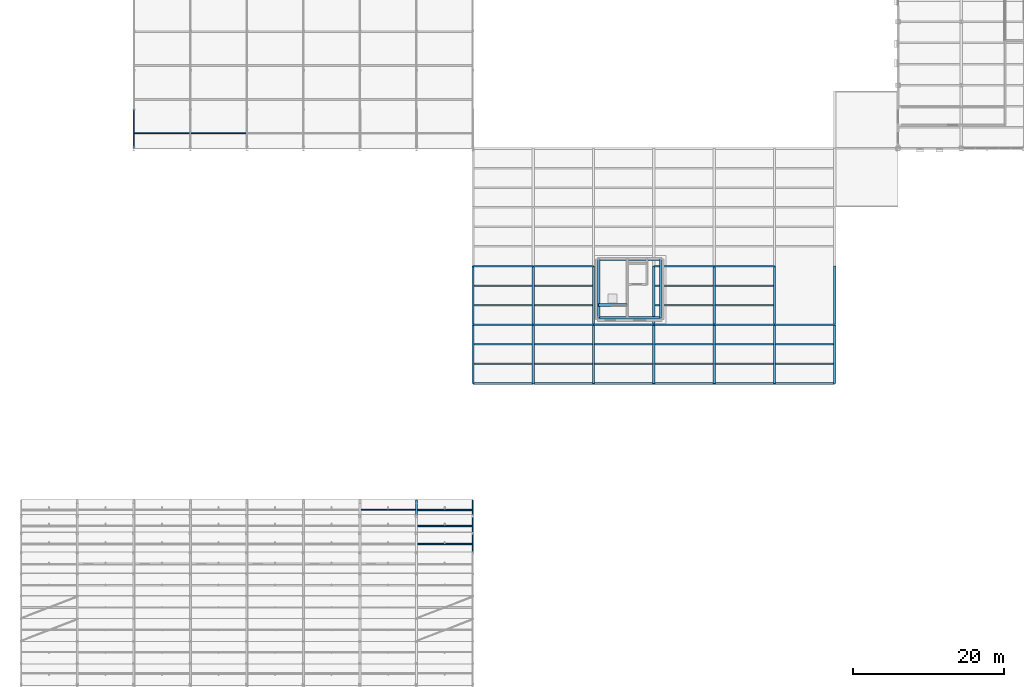
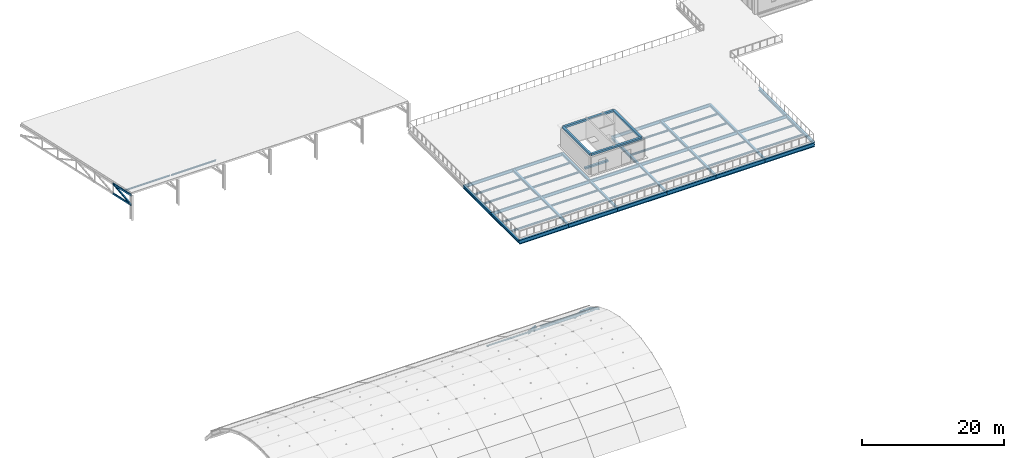
# One storey, part 29 of 77: 59 beams, 9 members.
"""IFC4 building model written with IfcOpenShell, lengths in metres."""

import ifcopenshell
import ifcopenshell.guid

model = None  # the IFC model being written
_history = None  # IfcOwnerHistory: only IFC2X3 demands one
_inside = {}  # id of a spatial element -> (the spatial element, [elements in it])
_under = {}  # id of a project, library or spatial element -> (it, [spatial elements below it])
_declared = {}  # id of a project -> (the project, [libraries it declares])
_typed = {}  # id of a type object -> (the type object, [elements of that type])
_made_of = {}  # id of a material, layer set ... -> (it, [elements and type objects made of it])


def new_model(schema):
    """Start an empty IFC model of exactly this schema.

    Asked for "IFC4X3", IfcOpenShell would pick the latest addendum, in which some entities
    have other attributes; the version numbers below select the first issue.
    IFC2X3 requires an IfcOwnerHistory on every rooted entity: one is made here for all.
    """
    global model, _history
    if schema == "IFC4X3":
        model = ifcopenshell.file(schema_version=(4, 3, 0, 0))
    else:
        model = ifcopenshell.file(schema=schema)
    _inside.clear()
    _under.clear()
    _declared.clear()
    _typed.clear()
    _made_of.clear()
    _history = None
    if model.schema == "IFC2X3":
        org = make("IfcOrganization", Name="unknown")
        user = make(
            "IfcPersonAndOrganization",
            ThePerson=make("IfcPerson", FamilyName="unknown"),
            TheOrganization=org,
        )
        app = make(
            "IfcApplication",
            ApplicationDeveloper=org,
            Version="unknown",
            ApplicationFullName="unknown",
            ApplicationIdentifier="unknown",
        )
        _history = make(
            "IfcOwnerHistory",
            OwningUser=user,
            OwningApplication=app,
            ChangeAction="ADDED",
            CreationDate=0,
        )
    return model


def make(cls, **values):
    """One entity of the class cls with the attributes given. An attribute that is None is left unset."""
    return model.create_entity(
        cls, **{name: value for name, value in values.items() if value is not None}
    )


def rooted(cls, **values):
    """An entity with a GlobalId (a new one), such as an element, a storey or a relation."""
    return make(cls, GlobalId=ifcopenshell.guid.new(), OwnerHistory=_history, **values)


def si_unit(unit_type, name, prefix=None):
    """IfcSIUnit, for example si_unit("LENGTHUNIT", "METRE", prefix="MILLI")."""
    return make("IfcSIUnit", UnitType=unit_type, Prefix=prefix, Name=name)


def assignment(units):
    """IfcUnitAssignment: the units of a project."""
    return None if units is None else make("IfcUnitAssignment", Units=units)


def point(xyz):
    """IfcCartesianPoint."""
    return None if xyz is None else make("IfcCartesianPoint", Coordinates=xyz)


def direction(xyz):
    """IfcDirection."""
    return None if xyz is None else make("IfcDirection", DirectionRatios=xyz)


def frame(location, z_axis=None, x_axis=None):
    """IfcAxis2Placement3D, a coordinate frame: its origin and axes. An axis left out is left unset."""
    return make(
        "IfcAxis2Placement3D",
        Location=point(location),
        Axis=direction(z_axis),
        RefDirection=direction(x_axis),
    )


def frame_2d(location, x_axis=None):
    """IfcAxis2Placement2D, a coordinate frame in the plane: its origin and x axis."""
    return make(
        "IfcAxis2Placement2D", Location=point(location), RefDirection=direction(x_axis)
    )


def origin():
    """The frame at (0, 0, 0) with its axes left unset."""
    return frame((0.0, 0.0, 0.0))


def origin_2d():
    """The frame at (0, 0) in the plane with its x axis left unset."""
    return frame_2d((0.0, 0.0))


def place(relative_to, where):
    """IfcLocalPlacement: puts the frame where relative to a parent placement (None: the world)."""
    return make(
        "IfcLocalPlacement", PlacementRelTo=relative_to, RelativePlacement=where
    )


def context(
    kind, dimensions, precision=None, world=None, true_north=None, identifier=None
):
    """IfcGeometricRepresentationContext, for example the 3D "Model" context."""
    return make(
        "IfcGeometricRepresentationContext",
        ContextIdentifier=identifier,
        ContextType=kind,
        CoordinateSpaceDimension=dimensions,
        Precision=precision,
        WorldCoordinateSystem=world,
        TrueNorth=true_north,
    )


def subcontext(parent, identifier, kind, view, scale=None):
    """IfcGeometricRepresentationSubContext, for example "Body" below "Model"."""
    return make(
        "IfcGeometricRepresentationSubContext",
        ContextIdentifier=identifier,
        ContextType=kind,
        ParentContext=parent,
        TargetScale=scale,
        TargetView=view,
    )


def project(units=None, contexts=None):
    """IfcProject with its units and contexts."""
    return rooted(
        "IfcProject",
        Name="project",
        RepresentationContexts=contexts,
        UnitsInContext=assignment(units),
    )


def spatial(cls, under=None, at=None, **own):
    """A site, building, storey or space (cls), placed at a placement, below another one or the project."""
    s = rooted(cls, ObjectPlacement=at, **own)
    if under is not None:
        _under.setdefault(under.id(), (under, []))[1].append(s)
    return s


def profile(cls, at=None, kind="AREA", **sizes):
    """A parametric profile (cls). Its sizes go by their IFC names, for example OverallWidth=200.0."""
    return make(cls, ProfileType=kind, Position=at, **sizes)


def rectangle(**sizes):
    """IfcRectangleProfileDef."""
    return profile("IfcRectangleProfileDef", **sizes)


def hollow_rectangle(**sizes):
    """IfcRectangleHollowProfileDef."""
    return profile("IfcRectangleHollowProfileDef", **sizes)


def i_section(**sizes):
    """IfcIShapeProfileDef."""
    return profile("IfcIShapeProfileDef", **sizes)


def extrude(swept, where, along, depth):
    """IfcExtrudedAreaSolid: the profile swept, set in the frame where, extruded along a direction by depth."""
    return make(
        "IfcExtrudedAreaSolid",
        SweptArea=swept,
        Position=where,
        ExtrudedDirection=direction(along),
        Depth=depth,
    )


def shape(context_of_items, identifier, shape_type, items):
    """IfcShapeRepresentation: the items that make up one representation, for example the "Body"."""
    return make(
        "IfcShapeRepresentation",
        ContextOfItems=context_of_items,
        RepresentationIdentifier=identifier,
        RepresentationType=shape_type,
        Items=items,
    )


def material(Name=None, Category=None):
    """IfcMaterial."""
    return make("IfcMaterial", Name=Name, Category=Category)


def material_profile(
    of_material, cross_section, Name=None, Category=None, Priority=None
):
    """IfcMaterialProfile: a cross section and its material."""
    return make(
        "IfcMaterialProfile",
        Name=Name,
        Material=of_material,
        Profile=cross_section,
        Priority=Priority,
        Category=Category,
    )


def profile_set(profiles, Name=None, composite=None):
    """IfcMaterialProfileSet."""
    return make(
        "IfcMaterialProfileSet",
        Name=Name,
        MaterialProfiles=profiles,
        CompositeProfile=composite,
    )


def made_of(thing, what):
    """Note that an element or type object is made of a material, layer set ...; save() writes the relation."""
    if what is not None:
        _made_of.setdefault(what.id(), (what, []))[1].append(thing)
    return thing


def type_object(cls, material=None, **own):
    """A type object (cls), such as IfcWallType, which elements share."""
    return made_of(rooted(cls, **own), material)


def element(
    cls,
    number,
    at=None,
    inside=None,
    cuts=None,
    type_object=None,
    material=None,
    context=None,
    identifier="Body",
    shape_type=None,
    held_by="IfcProductDefinitionShape",
    body=None,
    shapes=None,
    **own,
):
    """One element of the class cls, such as IfcWall. Its Tag is "e" and its number.

    at: its placement. inside: the storey or other place that contains it. cuts: it is an
    opening in that element (IfcRelVoidsElement). A single representation is given by context,
    identifier, shape_type and body (its items); several are given by shapes. held_by: the class
    of the entity that holds the representations. save() writes the other relations.
    """
    e = rooted(cls, Tag="e%d" % number, ObjectPlacement=at, **own)
    if body is not None:
        shapes = [shape(context, identifier, shape_type, body)]
    if shapes is not None:
        e.Representation = make(held_by, Representations=shapes)
    if inside is not None:
        _inside.setdefault(inside.id(), (inside, []))[1].append(e)
    if cuts is not None:
        rooted(
            "IfcRelVoidsElement", RelatingBuildingElement=cuts, RelatedOpeningElement=e
        )
    if type_object is not None:
        _typed.setdefault(type_object.id(), (type_object, []))[1].append(e)
    return made_of(e, material)


def aggregate(whole, parts):
    """IfcRelAggregates: a whole, such as a stair, and the parts it consists of."""
    return rooted("IfcRelAggregates", RelatingObject=whole, RelatedObjects=parts)


def save(model, path):
    """Write the relations noted so far, then the file.

    IfcRelAggregates (storeys below a building ...), IfcRelContainedInSpatialStructure (elements
    in a storey), IfcRelDefinesByType, IfcRelAssociatesMaterial and IfcRelDeclares: one each for
    every whole, place, type object, material and project.
    """
    for whole, parts in _under.values():
        aggregate(whole, parts)
    for where, things in _inside.values():
        rooted(
            "IfcRelContainedInSpatialStructure",
            RelatedElements=things,
            RelatingStructure=where,
        )
    for kind, things in _typed.values():
        rooted("IfcRelDefinesByType", RelatedObjects=things, RelatingType=kind)
    for what, things in _made_of.values():
        rooted("IfcRelAssociatesMaterial", RelatedObjects=things, RelatingMaterial=what)
    for by, libraries in _declared.values():
        rooted("IfcRelDeclares", RelatingContext=by, RelatedDefinitions=libraries)
    model.write(path)


model = new_model("IFC4")

# Units and contexts
model_context = context("Model", 3, precision=1e-05, world=origin(), true_north=direction((0.0, 1.0)))
body_context = subcontext(model_context, "Body", "Model", "MODEL_VIEW")
ifc_project = project(units=[si_unit("LENGTHUNIT", "METRE"), si_unit("AREAUNIT", "SQUARE_METRE"), si_unit("VOLUMEUNIT", "CUBIC_METRE"), si_unit("PLANEANGLEUNIT", "RADIAN"), si_unit("MASSUNIT", "GRAM", prefix="KILO")], contexts=[model_context])

# Site, building, storey
site_placement = place(None, origin())
site = spatial("IfcSite", under=ifc_project, at=site_placement, CompositionType="ELEMENT")
building_placement = place(site_placement, origin())
building = spatial("IfcBuilding", under=site, at=building_placement, Name="Yukiwa Park Conservatory and Herbarium", CompositionType="ELEMENT")
storey_placement = place(building_placement, frame((0.0, 0.0, 13.199951171875)))
storey = spatial("IfcBuildingStorey", under=building, at=storey_placement, Name="L03", CompositionType="ELEMENT", Elevation=13.199951171875)

# Beams
ifc_material_1 = material(Name="Steel Q355D", Category="steel")
ifc_material_profile_1 = material_profile(ifc_material_1, i_section(OverallWidth=0.300048828125, OverallDepth=0.389892578125, WebThickness=0.010009765625, FlangeThickness=0.01611328125, FilletRadius=0.02001953125, at=origin_2d()), Name="HM 390x300x10x16")
ifc_profile_set_1 = profile_set([ifc_material_profile_1], Name="Steel Q355D")
beam_type_1 = type_object("IfcBeamType", Name="BM-GRD-HM390", PredefinedType="BEAM", material=ifc_profile_set_1)
for number, where, z_axis, x_axis, name in (
    (1, (68.0, 46.805908203125, -0.514892578125), (0.0, 1.0, 0.0), (-1.0, 0.0, 0.0), "L03 grid girder Y-64"),
    (2, (68.0, 54.60595703125, -0.514892578125), (0.0, 1.0, 0.0), (-1.0, 0.0, 0.0), "L03 grid girder Y-65"),
    (3, (76.0, 46.805908203125, -0.514892578125), (0.0, 1.0, 0.0), (-1.0, 0.0, 0.0), "L03 grid girder Y-68"),
    (4, (76.0, 54.60595703125, -0.514892578125), (0.0, 1.0, 0.0), (-1.0, 0.0, 0.0), "L03 grid girder Y-69"),
    (5, (84.0, 46.805908203125, -0.514892578125), (0.0, 1.0, 0.0), (-1.0, 0.0, 0.0), "L03 grid girder Y-72"),
    (6, (84.0, 54.60595703125, -0.514892578125), (0.0, 1.0, 0.0), (-1.0, 0.0, 0.0), "L03 grid girder Y-73"),
    (7, (92.0, 46.805908203125, -0.514892578125), (0.0, 1.0, 0.0), (-1.0, 0.0, 0.0), "L03 grid girder Y-76"),
    (8, (92.0, 54.60595703125, -0.514892578125), (0.0, 1.0, 0.0), (-1.0, 0.0, 0.0), "L03 grid girder Y-77"),
    (9, (100.0, 46.805908203125, -0.514892578125), (0.0, 1.0, 0.0), (-1.0, 0.0, 0.0), "L03 grid girder Y-80"),
    (10, (100.0, 54.60595703125, -0.514892578125), (0.0, 1.0, 0.0), (-1.0, 0.0, 0.0), "L03 grid girder Y-81"),
):
    element("IfcBeam", number, at=place(storey_placement, frame(where, z_axis=z_axis, x_axis=x_axis)), inside=storey, type_object=beam_type_1, Name=name, PredefinedType="BEAM", context=body_context, shape_type="SweptSolid", body=[
        extrude(i_section(OverallWidth=0.300048828125, OverallDepth=0.389892578125, WebThickness=0.010009765625, FlangeThickness=0.01611328125, FilletRadius=0.02001953125, at=origin_2d()), origin(), (0.0, 0.0, 1.0), 7.7880859375),
    ])
ifc_material_2 = material(Name="Steel Q355D", Category="steel")
ifc_material_profile_2 = material_profile(ifc_material_2, i_section(OverallWidth=0.199951171875, OverallDepth=0.550048828125, WebThickness=0.010009765625, FlangeThickness=0.01611328125, FilletRadius=0.02001953125, at=origin_2d()), Name="HN 550x200x10x16")
ifc_profile_set_2 = profile_set([ifc_material_profile_2], Name="Steel Q355D")
beam_type_2 = type_object("IfcBeamType", Name="BM-GRD-HN550", PredefinedType="BEAM", material=ifc_profile_set_2)
for number, where, z_axis, x_axis, name in (
    (11, (60.006103515625, 54.60009765625, -0.594970703125), (1.0, 0.0, 0.0), (0.0, 1.0, 0.0), "L03 grid beam X-7"),
    (12, (68.006103515625, 54.60009765625, -0.594970703125), (1.0, 0.0, 0.0), (0.0, 1.0, 0.0), "L03 grid beam X-8"),
    (13, (76.006103515625, 54.60009765625, -0.594970703125), (1.0, 0.0, 0.0), (0.0, 1.0, 0.0), "L03 grid beam X-9"),
    (14, (84.006103515625, 54.60009765625, -0.594970703125), (1.0, 0.0, 0.0), (0.0, 1.0, 0.0), "L03 grid beam X-10"),
    (15, (92.006103515625, 54.60009765625, -0.594970703125), (1.0, 0.0, 0.0), (0.0, 1.0, 0.0), "L03 grid beam X-11"),
    (16, (100.006103515625, 54.60009765625, -0.594970703125), (1.0, 0.0, 0.0), (0.0, 1.0, 0.0), "L03 grid beam X-12"),
    (17, (60.006103515625, 62.39990234375, -0.594970703125), (1.0, 0.0, 0.0), (0.0, 1.0, 0.0), "L03 grid beam X-13"),
    (18, (68.006103515625, 62.39990234375, -0.594970703125), (1.0, 0.0, 0.0), (0.0, 1.0, 0.0), "L03 grid beam X-14"),
    (19, (84.006103515625, 62.39990234375, -0.594970703125), (1.0, 0.0, 0.0), (0.0, 1.0, 0.0), "L03 grid beam X-15"),
    (20, (92.006103515625, 62.39990234375, -0.594970703125), (1.0, 0.0, 0.0), (0.0, 1.0, 0.0), "L03 grid beam X-16"),
):
    element("IfcBeam", number, at=place(storey_placement, frame(where, z_axis=z_axis, x_axis=x_axis)), inside=storey, type_object=beam_type_2, Name=name, PredefinedType="BEAM", context=body_context, shape_type="SweptSolid", body=[
        extrude(i_section(OverallWidth=0.199951171875, OverallDepth=0.550048828125, WebThickness=0.010009765625, FlangeThickness=0.01611328125, FilletRadius=0.02001953125, at=origin_2d()), origin(), (0.0, 0.0, 1.0), 7.98779296875),
    ])
ifc_material_3 = material(Name="Steel Q355D", Category="steel")
ifc_material_profile_3 = material_profile(ifc_material_3, i_section(OverallWidth=0.199951171875, OverallDepth=0.2939453125, WebThickness=0.008056640625, FlangeThickness=0.011962890625, FilletRadius=0.01806640625, at=origin_2d()), Name="HM 294x200x8x12")
ifc_profile_set_3 = profile_set([ifc_material_profile_3], Name="Steel Q355D")
beam_type_3 = type_object("IfcBeamType", Name="BM-JST-HM294", PredefinedType="JOIST", material=ifc_profile_set_3)
for number, where, z_axis, x_axis, name in (
    (21, (60.14599609375, 49.39990234375, -0.467041015625), (1.0, 0.0, 0.0), (0.0, 1.0, 0.0), "L03 composite floor joist 1"),
    (22, (60.14599609375, 52.0, -0.467041015625), (1.0, 0.0, 0.0), (0.0, 1.0, 0.0), "L03 composite floor joist 2"),
    (23, (60.14599609375, 57.199951171875, -0.467041015625), (1.0, 0.0, 0.0), (0.0, 1.0, 0.0), "L03 composite floor joist 3"),
    (24, (60.14599609375, 59.800048828125, -0.467041015625), (1.0, 0.0, 0.0), (0.0, 1.0, 0.0), "L03 composite floor joist 4"),
    (25, (68.14599609375, 49.39990234375, -0.467041015625), (1.0, 0.0, 0.0), (0.0, 1.0, 0.0), "L03 composite floor joist 9"),
    (26, (68.14599609375, 52.0, -0.467041015625), (1.0, 0.0, 0.0), (0.0, 1.0, 0.0), "L03 composite floor joist 10"),
    (27, (68.14599609375, 57.199951171875, -0.467041015625), (1.0, 0.0, 0.0), (0.0, 1.0, 0.0), "L03 composite floor joist 11"),
    (28, (68.14599609375, 59.800048828125, -0.467041015625), (1.0, 0.0, 0.0), (0.0, 1.0, 0.0), "L03 composite floor joist 12"),
    (29, (76.14599609375, 49.39990234375, -0.467041015625), (1.0, 0.0, 0.0), (0.0, 1.0, 0.0), "L03 composite floor joist 17"),
    (30, (76.14599609375, 52.0, -0.467041015625), (1.0, 0.0, 0.0), (0.0, 1.0, 0.0), "L03 composite floor joist 18"),
    (31, (84.14599609375, 49.39990234375, -0.467041015625), (1.0, 0.0, 0.0), (0.0, 1.0, 0.0), "L03 composite floor joist 23"),
    (32, (84.14599609375, 52.0, -0.467041015625), (1.0, 0.0, 0.0), (0.0, 1.0, 0.0), "L03 composite floor joist 24"),
    (33, (84.14599609375, 57.199951171875, -0.467041015625), (1.0, 0.0, 0.0), (0.0, 1.0, 0.0), "L03 composite floor joist 25"),
    (34, (84.14599609375, 59.800048828125, -0.467041015625), (1.0, 0.0, 0.0), (0.0, 1.0, 0.0), "L03 composite floor joist 26"),
    (35, (92.14599609375, 49.39990234375, -0.467041015625), (1.0, 0.0, 0.0), (0.0, 1.0, 0.0), "L03 composite floor joist 31"),
    (36, (92.14599609375, 52.0, -0.467041015625), (1.0, 0.0, 0.0), (0.0, 1.0, 0.0), "L03 composite floor joist 32"),
    (37, (92.14599609375, 57.199951171875, -0.467041015625), (1.0, 0.0, 0.0), (0.0, 1.0, 0.0), "L03 composite floor joist 33"),
    (38, (92.14599609375, 59.800048828125, -0.467041015625), (1.0, 0.0, 0.0), (0.0, 1.0, 0.0), "L03 composite floor joist 34"),
    (39, (100.14599609375, 49.39990234375, -0.467041015625), (1.0, 0.0, 0.0), (0.0, 1.0, 0.0), "L03 composite floor joist 39"),
    (40, (100.14599609375, 52.0, -0.467041015625), (1.0, 0.0, 0.0), (0.0, 1.0, 0.0), "L03 composite floor joist 40"),
):
    element("IfcBeam", number, at=place(storey_placement, frame(where, z_axis=z_axis, x_axis=x_axis)), inside=storey, type_object=beam_type_3, Name=name, PredefinedType="JOIST", context=body_context, shape_type="SweptSolid", body=[
        extrude(i_section(OverallWidth=0.199951171875, OverallDepth=0.2939453125, WebThickness=0.008056640625, FlangeThickness=0.011962890625, FilletRadius=0.01806640625, at=origin_2d()), origin(), (0.0, 0.0, 1.0), 7.7080078125),
    ])
ifc_material_4 = material(Name="Steel Q355D", Category="steel")
ifc_material_profile_4 = material_profile(ifc_material_4, i_section(OverallWidth=0.300048828125, OverallDepth=0.493896484375, WebThickness=0.010986328125, FlangeThickness=0.014892578125, FilletRadius=0.02392578125, at=origin_2d()), Name="HM 494x300x11x15")
ifc_profile_set_4 = profile_set([ifc_material_profile_4], Name="Steel Q355D")
beam_type_4 = type_object("IfcBeamType", Name="BM-SPN-HN450", PredefinedType="SPANDREL", material=ifc_profile_set_4)
for number, where, z_axis, x_axis, name in (
    (41, (60.0, 46.805908203125, -0.56689453125), (0.0, 1.0, 0.0), (-1.0, 0.0, 0.0), "L03 spandrel girder Y-60"),
    (42, (60.0, 54.60595703125, -0.56689453125), (0.0, 1.0, 0.0), (-1.0, 0.0, 0.0), "L03 spandrel girder Y-61"),
    (43, (108.0, 46.805908203125, -0.56689453125), (0.0, 1.0, 0.0), (-1.0, 0.0, 0.0), "L03 spandrel girder Y-84"),
    (44, (108.0, 54.60595703125, -0.56689453125), (0.0, 1.0, 0.0), (-1.0, 0.0, 0.0), "L03 spandrel girder Y-85"),
):
    element("IfcBeam", number, at=place(storey_placement, frame(where, z_axis=z_axis, x_axis=x_axis)), inside=storey, type_object=beam_type_4, Name=name, PredefinedType="SPANDREL", context=body_context, shape_type="SweptSolid", body=[
        extrude(i_section(OverallWidth=0.300048828125, OverallDepth=0.493896484375, WebThickness=0.010986328125, FlangeThickness=0.014892578125, FilletRadius=0.02392578125, at=origin_2d()), origin(), (0.0, 0.0, 1.0), 7.7880859375),
    ])
ifc_material_5 = material(Name="Steel Q355D", Category="steel")
ifc_material_profile_5 = material_profile(ifc_material_5, i_section(OverallWidth=0.300048828125, OverallDepth=0.69189453125, WebThickness=0.012939453125, FlangeThickness=0.02001953125, FilletRadius=0.028076171875, at=origin_2d()), Name="HN 692x300x13x20")
ifc_profile_set_5 = profile_set([ifc_material_profile_5], Name="Steel Q355D")
beam_type_5 = type_object("IfcBeamType", Name="BM-SPN-HN550", PredefinedType="SPANDREL", material=ifc_profile_set_5)
for number, where, z_axis, x_axis, name in (
    (45, (60.006103515625, 46.800048828125, -0.666015625), (1.0, 0.0, 0.0), (0.0, 1.0, 0.0), "L03 spandrel beam X-1"),
    (46, (68.006103515625, 46.800048828125, -0.666015625), (1.0, 0.0, 0.0), (0.0, 1.0, 0.0), "L03 spandrel beam X-2"),
    (47, (76.006103515625, 46.800048828125, -0.666015625), (1.0, 0.0, 0.0), (0.0, 1.0, 0.0), "L03 spandrel beam X-3"),
    (48, (84.006103515625, 46.800048828125, -0.666015625), (1.0, 0.0, 0.0), (0.0, 1.0, 0.0), "L03 spandrel beam X-4"),
    (49, (92.006103515625, 46.800048828125, -0.666015625), (1.0, 0.0, 0.0), (0.0, 1.0, 0.0), "L03 spandrel beam X-5"),
    (50, (100.006103515625, 46.800048828125, -0.666015625), (1.0, 0.0, 0.0), (0.0, 1.0, 0.0), "L03 spandrel beam X-6"),
):
    element("IfcBeam", number, at=place(storey_placement, frame(where, z_axis=z_axis, x_axis=x_axis)), inside=storey, type_object=beam_type_5, Name=name, PredefinedType="SPANDREL", context=body_context, shape_type="SweptSolid", body=[
        extrude(i_section(OverallWidth=0.300048828125, OverallDepth=0.69189453125, WebThickness=0.012939453125, FlangeThickness=0.02001953125, FilletRadius=0.028076171875, at=origin_2d()), origin(), (0.0, 0.0, 1.0), 7.98779296875),
    ])
ifc_material_6 = material(Name="Concrete C40", Category="concrete")
ifc_material_profile_6 = material_profile(ifc_material_6, rectangle(XDim=0.35009765625, YDim=0.300048828125, at=origin_2d()), Name="RC 350x300")
ifc_profile_set_6 = profile_set([ifc_material_profile_6], Name="Concrete C40")
beam_type_6 = type_object("IfcBeamType", Name="BM-STAIR-TRIM", PredefinedType="BEAM", material=ifc_profile_set_6)
beam_1_placement = place(storey_placement, frame((76.679931640625, 57.22998046875, -0.14990234375), z_axis=(1.0, 0.0, 0.0), x_axis=(0.0, 1.0, 0.0)))
element("IfcBeam", 51, at=beam_1_placement, inside=storey, type_object=beam_type_6, Name="Stair ST-V1 L03 landing trimmer beam", PredefinedType="BEAM", context=body_context, shape_type="SweptSolid", body=[
    extrude(rectangle(XDim=0.35009765625, YDim=0.300048828125, at=origin_2d()), origin(), (0.0, 0.0, 1.0), 3.7900390625),
])
ifc_material_7 = material(Name="Concrete C40", Category="concrete")
ifc_material_profile_7 = material_profile(ifc_material_7, rectangle(XDim=0.35009765625, YDim=0.300048828125, at=origin_2d()), Name="RC 350x300")
ifc_profile_set_7 = profile_set([ifc_material_profile_7], Name="Concrete C40")
beam_type_7 = type_object("IfcBeamType", Name="BM-STAIR-TRIM-EXT", PredefinedType="BEAM", material=ifc_profile_set_7)
beam_2_placement = place(storey_placement, frame((76.68603515625, 55.550048828125, 3.22998046875), z_axis=(1.0, 0.0, 0.0), x_axis=(0.0, 1.0, 0.0)))
element("IfcBeam", 52, at=beam_2_placement, inside=storey, type_object=beam_type_7, Name="Visitor rooftop pavilion ring beam 1", PredefinedType="BEAM", context=body_context, shape_type="SweptSolid", body=[
    extrude(rectangle(XDim=0.35009765625, YDim=0.300048828125, at=origin_2d()), origin(), (0.0, 0.0, 1.0), 8.22802734375),
])
beam_3_placement = place(storey_placement, frame((84.919921875, 55.555908203125, 3.22998046875), z_axis=(0.0, 1.0, 0.0), x_axis=(-1.0, 0.0, 0.0)))
element("IfcBeam", 53, at=beam_3_placement, inside=storey, type_object=beam_type_7, Name="Visitor rooftop pavilion ring beam 2", PredefinedType="BEAM", context=body_context, shape_type="SweptSolid", body=[
    extrude(rectangle(XDim=0.35009765625, YDim=0.300048828125, at=origin_2d()), origin(), (0.0, 0.0, 1.0), 7.738037109375),
])
beam_4_placement = place(storey_placement, frame((84.9140625, 63.300048828125, 3.22998046875), z_axis=(-1.0, 0.0, 0.0), x_axis=(0.0, -1.0, 0.0)))
element("IfcBeam", 54, at=beam_4_placement, inside=storey, type_object=beam_type_7, Name="Visitor rooftop pavilion ring beam 3", PredefinedType="BEAM", context=body_context, shape_type="SweptSolid", body=[
    extrude(rectangle(XDim=0.35009765625, YDim=0.300048828125, at=origin_2d()), origin(), (0.0, 0.0, 1.0), 8.22802734375),
])
beam_5_placement = place(storey_placement, frame((76.679931640625, 63.2939453125, 3.22998046875), z_axis=(0.0, -1.0, 0.0), x_axis=(1.0, 0.0, 0.0)))
element("IfcBeam", 55, at=beam_5_placement, inside=storey, type_object=beam_type_7, Name="Visitor rooftop pavilion ring beam 4", PredefinedType="BEAM", context=body_context, shape_type="SweptSolid", body=[
    extrude(rectangle(XDim=0.35009765625, YDim=0.300048828125, at=origin_2d()), origin(), (0.0, 0.0, 1.0), 7.738037109375),
])
ifc_material_8 = material(Name="Steel Q355D", Category="steel")
ifc_material_profile_8 = material_profile(ifc_material_8, hollow_rectangle(XDim=0.25, YDim=0.449951171875, WallThickness=0.013916015625, InnerFilletRadius=0.013916015625, OuterFilletRadius=0.028076171875, at=origin_2d()), Name="RHS 450x250x14")
ifc_profile_set_8 = profile_set([ifc_material_profile_8], Name="Steel Q355D")
beam_type_8 = type_object("IfcBeamType", Name="BM-VLT-ARCH450", PredefinedType="BEAM", material=ifc_profile_set_8)
beam_6_placement = place(storey_placement, frame((52.5, 29.213134765625, -1.93798828125), z_axis=(0.0, 0.659932949032, -0.75132449899), x_axis=(-1.0, 0.0, 0.0)))
element("IfcBeam", 56, at=beam_6_placement, inside=storey, type_object=beam_type_8, Name="Conservatory barrel vault arch rib 8 chord 12", PredefinedType="BEAM", context=body_context, shape_type="SweptSolid", body=[
    extrude(hollow_rectangle(XDim=0.25, YDim=0.449951171875, WallThickness=0.013916015625, InnerFilletRadius=0.013916015625, OuterFilletRadius=0.028076171875, at=origin_2d()), origin(), (0.0, 0.0, 1.0), 3.0107421875),
])
ifc_material_9 = material(Name="Steel Q355D", Category="steel")
ifc_material_profile_9 = material_profile(ifc_material_9, hollow_rectangle(XDim=0.199951171875, YDim=0.39990234375, WallThickness=0.011962890625, InnerFilletRadius=0.011962890625, OuterFilletRadius=0.02392578125, at=origin_2d()), Name="RHS 400x200x12")
ifc_profile_set_9 = profile_set([ifc_material_profile_9], Name="Steel Q355D")
beam_type_9 = type_object("IfcBeamType", Name="BM-VLT-GABLE400", PredefinedType="BEAM", material=ifc_profile_set_9)
for number, where, z_axis, x_axis, name in (
    (57, (60.0, 24.320556640625, 1.541259765625), (0.0, 0.857249569488, -0.514901131881), (-1.0, 0.0, 0.0), "Conservatory barrel vault arch rib 9 chord 10"),
    (58, (60.0, 26.901611328125, -0.009033203125), (0.0, 0.767782402885, -0.640710684959), (-1.0, 0.0, 0.0), "Conservatory barrel vault arch rib 9 chord 11"),
    (59, (60.0, 29.213134765625, -1.93798828125), (0.0, 0.659932949032, -0.75132449899), (-1.0, 0.0, 0.0), "Conservatory barrel vault arch rib 9 chord 12"),
):
    element("IfcBeam", number, at=place(storey_placement, frame(where, z_axis=z_axis, x_axis=x_axis)), inside=storey, type_object=beam_type_9, Name=name, PredefinedType="BEAM", context=body_context, shape_type="SweptSolid", body=[
        extrude(hollow_rectangle(XDim=0.199951171875, YDim=0.39990234375, WallThickness=0.011962890625, InnerFilletRadius=0.011962890625, OuterFilletRadius=0.02392578125, at=origin_2d()), origin(), (0.0, 0.0, 1.0), 3.0107421875),
    ])

# Members
ifc_material_10 = material(Name="Steel Q355D", Category="steel")
ifc_material_profile_10 = material_profile(ifc_material_10, hollow_rectangle(XDim=0.14990234375, YDim=0.300048828125, WallThickness=0.010009765625, InnerFilletRadius=0.010009765625, OuterFilletRadius=0.02001953125, at=origin_2d()), Name="RHS 300x150x10")
ifc_profile_set_10 = profile_set([ifc_material_profile_10], Name="Steel Q355D")
member_type_1 = type_object("IfcMemberType", Name="MB-AU-CHORD300-EXT", PredefinedType="CHORD", material=ifc_profile_set_10)
member_1_placement = place(storey_placement, frame((15.0, 78.006103515625, 2.491943359375), z_axis=(0.0, 0.976241016926, -0.216687509727), x_axis=(-1.0, 0.0, 0.0)))
element("IfcMember", 60, at=member_1_placement, inside=storey, type_object=member_type_1, Name="Auditorium roof truss 1 bottom chord 1", PredefinedType="CHORD", context=body_context, shape_type="SweptSolid", body=[
    extrude(hollow_rectangle(XDim=0.14990234375, YDim=0.300048828125, WallThickness=0.010009765625, InnerFilletRadius=0.010009765625, OuterFilletRadius=0.02001953125, at=origin_2d()), origin(), (0.0, 0.0, 1.0), 5.3203125),
])
ifc_material_11 = material(Name="Steel Q355D", Category="steel")
ifc_material_profile_11 = material_profile(ifc_material_11, hollow_rectangle(XDim=0.199951171875, YDim=0.35009765625, WallThickness=0.011962890625, InnerFilletRadius=0.011962890625, OuterFilletRadius=0.02392578125, at=origin_2d()), Name="RHS 350x200x12")
ifc_profile_set_11 = profile_set([ifc_material_profile_11], Name="Steel Q355D")
member_type_2 = type_object("IfcMemberType", Name="MB-AU-CHORD350-EXT", PredefinedType="CHORD", material=ifc_profile_set_11)
member_2_placement = place(storey_placement, frame((15.0, 78.006103515625, 4.19189453125), z_axis=(0.0, 0.976241016926, -0.216687509727), x_axis=(-1.0, 0.0, 0.0)))
element("IfcMember", 61, at=member_2_placement, inside=storey, type_object=member_type_2, Name="Auditorium roof truss 1 top chord 1", PredefinedType="CHORD", context=body_context, shape_type="SweptSolid", body=[
    extrude(hollow_rectangle(XDim=0.199951171875, YDim=0.35009765625, WallThickness=0.011962890625, InnerFilletRadius=0.011962890625, OuterFilletRadius=0.02392578125, at=origin_2d()), origin(), (0.0, 0.0, 1.0), 5.3203125),
])
ifc_material_12 = material(Name="Steel Q355D", Category="steel")
ifc_material_profile_12 = material_profile(ifc_material_12, hollow_rectangle(XDim=0.219970703125, YDim=0.219970703125, WallThickness=0.010009765625, InnerFilletRadius=0.010009765625, OuterFilletRadius=0.02001953125, at=origin_2d()), Name="SHS 220x220x10")
ifc_profile_set_12 = profile_set([ifc_material_profile_12], Name="Steel Q355D")
member_type_3 = type_object("IfcMemberType", Name="MB-AU-DIAG220-EXT", PredefinedType="BRACE", material=ifc_profile_set_12)
member_3_placement = place(storey_placement, frame((15.0, 78.011962890625, 2.491943359375), z_axis=(0.0, 0.994485175972, 0.104877236675), x_axis=(-1.0, 0.0, 0.0)))
element("IfcMember", 62, at=member_3_placement, inside=storey, type_object=member_type_3, Name="Auditorium roof truss 1 web diagonal 1", PredefinedType="BRACE", context=body_context, shape_type="SweptSolid", body=[
    extrude(hollow_rectangle(XDim=0.219970703125, YDim=0.219970703125, WallThickness=0.010009765625, InnerFilletRadius=0.010009765625, OuterFilletRadius=0.02001953125, at=origin_2d()), origin(), (0.0, 0.0, 1.0), 5.216796875),
])
ifc_material_13 = material(Name="Steel Q355D", Category="steel")
ifc_material_profile_13 = material_profile(ifc_material_13, i_section(OverallWidth=0.175048828125, OverallDepth=0.243896484375, WebThickness=0.007080078125, FlangeThickness=0.010986328125, FilletRadius=0.01611328125, at=origin_2d()), Name="HM 244x175x7x11")
ifc_profile_set_13 = profile_set([ifc_material_profile_13], Name="Steel Q355D")
member_type_4 = type_object("IfcMemberType", Name="MB-RF-PURL244", PredefinedType="PURLIN", material=ifc_profile_set_13)
for number, where, z_axis, x_axis, name in (
    (63, (15.094970703125, 80.0, 3.803466796875), (1.0, 0.0, 0.0), (0.0, 0.97629600712, 0.216439613938), "Auditorium roof purlin 1.80"),
    (64, (22.594970703125, 80.0, 3.803466796875), (1.0, 0.0, 0.0), (0.0, 0.97629600712, 0.216439613938), "Auditorium roof purlin 2.80"),
):
    element("IfcMember", number, at=place(storey_placement, frame(where, z_axis=z_axis, x_axis=x_axis)), inside=storey, type_object=member_type_4, Name=name, PredefinedType="PURLIN", context=body_context, shape_type="SweptSolid", body=[
        extrude(i_section(OverallWidth=0.175048828125, OverallDepth=0.243896484375, WebThickness=0.007080078125, FlangeThickness=0.010986328125, FilletRadius=0.01611328125, at=origin_2d()), origin(), (0.0, 0.0, 1.0), 7.31005859375),
    ])
ifc_material_14 = material(Name="Steel Q355D", Category="steel")
ifc_material_profile_14 = material_profile(ifc_material_14, i_section(OverallWidth=0.10009765625, OverallDepth=0.199951171875, WebThickness=0.005615234375, FlangeThickness=0.008056640625, FilletRadius=0.010986328125, at=origin_2d()), Name="HN 200x100x5.5x8")
ifc_profile_set_14 = profile_set([ifc_material_profile_14], Name="Steel Q355D")
member_type_5 = type_object("IfcMemberType", Name="MB-VLT-PURL200", PredefinedType="PURLIN", material=ifc_profile_set_14)
member_4_placement = place(storey_placement, frame((45.0849609375, 30.07421875, -3.18505859375), z_axis=(1.0, 0.0, 0.0), x_axis=(0.0, 0.659967575996, -0.751294082656)))
element("IfcMember", 65, at=member_4_placement, inside=storey, type_object=member_type_5, Name="Conservatory vault longitudinal purlin 7.12", PredefinedType="PURLIN", context=body_context, shape_type="SweptSolid", body=[
    extrude(i_section(OverallWidth=0.10009765625, OverallDepth=0.199951171875, WebThickness=0.005615234375, FlangeThickness=0.008056640625, FilletRadius=0.010986328125, at=origin_2d()), origin(), (0.0, 0.0, 1.0), 7.330078125),
])
ifc_material_15 = material(Name="Steel Q355D", Category="steel")
ifc_material_profile_15 = material_profile(ifc_material_15, i_section(OverallWidth=0.1240234375, OverallDepth=0.248046875, WebThickness=0.0048828125, FlangeThickness=0.008056640625, FilletRadius=0.011962890625, at=origin_2d()), Name="HN 248x124x5x8")
ifc_profile_set_15 = profile_set([ifc_material_profile_15], Name="Steel Q355D")
member_type_6 = type_object("IfcMemberType", Name="MB-VLT-PURL248", PredefinedType="PURLIN", material=ifc_profile_set_15)
for number, where, z_axis, x_axis, name in (
    (66, (52.5849609375, 25.508056640625, 0.5947265625), (1.0, 0.0, 0.0), (0.0, 0.857233812968, -0.514927363717), "Conservatory vault longitudinal purlin 8.10"),
    (67, (52.5849609375, 27.92919921875, -1.126953125), (1.0, 0.0, 0.0), (0.0, 0.767751470285, -0.640747750582), "Conservatory vault longitudinal purlin 8.11"),
    (68, (52.5849609375, 30.05615234375, -3.200927734375), (1.0, 0.0, 0.0), (0.0, 0.659967575996, -0.751294082656), "Conservatory vault longitudinal purlin 8.12"),
):
    element("IfcMember", number, at=place(storey_placement, frame(where, z_axis=z_axis, x_axis=x_axis)), inside=storey, type_object=member_type_6, Name=name, PredefinedType="PURLIN", context=body_context, shape_type="SweptSolid", body=[
        extrude(i_section(OverallWidth=0.1240234375, OverallDepth=0.248046875, WebThickness=0.0048828125, FlangeThickness=0.008056640625, FilletRadius=0.011962890625, at=origin_2d()), origin(), (0.0, 0.0, 1.0), 7.330078125),
    ])

save(model, "model.ifc")
